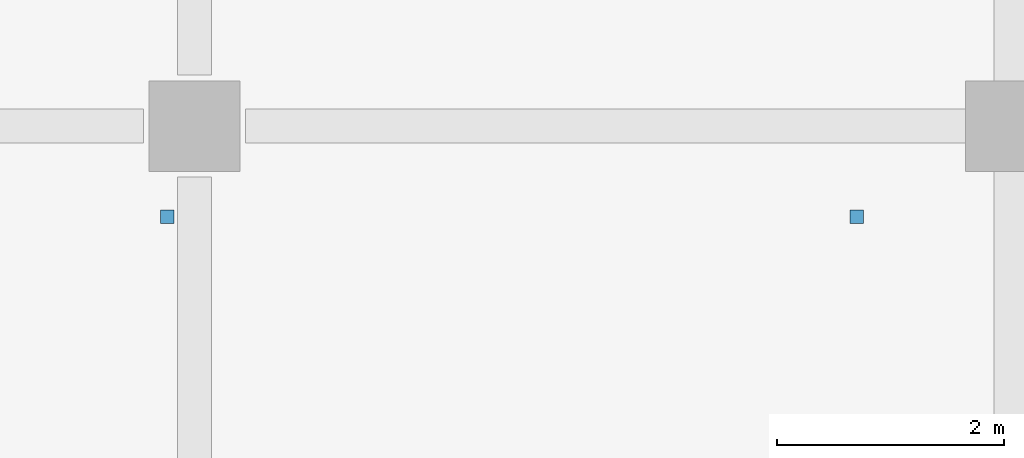
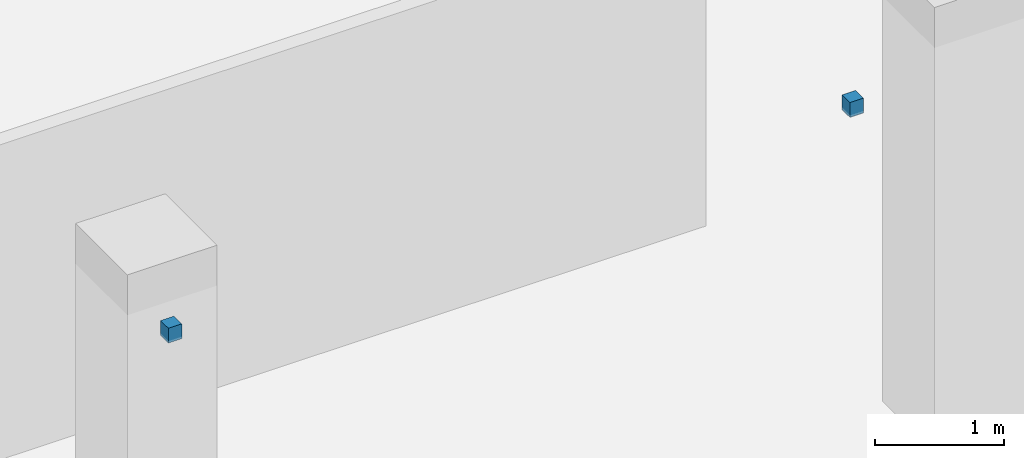
# One storey, part 141 of 153: 2 discrete accessories.
"""IFC4 building model written with IfcOpenShell, lengths in metres."""

from ifc_helpers import new_model, si_unit, direction, frame, origin, origin_2d, place, context, subcontext, project, spatial, rectangle, extrude, material, type_object, element, save


model = new_model("IFC4")

# Units and contexts
model_context = context("Model", 3, precision=1e-05, world=origin(), true_north=direction((0.0, 1.0)))
body_context = subcontext(model_context, "Body", "Model", "MODEL_VIEW")
ifc_project = project(units=[si_unit("LENGTHUNIT", "METRE"), si_unit("AREAUNIT", "SQUARE_METRE"), si_unit("VOLUMEUNIT", "CUBIC_METRE"), si_unit("PLANEANGLEUNIT", "RADIAN"), si_unit("MASSUNIT", "GRAM", prefix="KILO")], contexts=[model_context])

# Site, building, storey
site_placement = place(None, origin())
site = spatial("IfcSite", under=ifc_project, at=site_placement, CompositionType="ELEMENT")
building_placement = place(site_placement, origin())
building = spatial("IfcBuilding", under=site, at=building_placement, Name="Qandorah Velis Arena", CompositionType="ELEMENT")
storey_placement = place(building_placement, frame((0.0, 0.0, 5.39990234375)))
storey = spatial("IfcBuildingStorey", under=building, at=storey_placement, Name="L01", CompositionType="ELEMENT", Elevation=5.39990234375)

# Discrete accessories
ifc_material = material(Name="Stainless steel 316", Category="steel")
discrete_accessory_type = type_object("IfcDiscreteAccessoryType", Name="ARC-ACC-BRK", PredefinedType="BRACKET", material=ifc_material)
for number, where, z_axis, x_axis, name in (
    (1, (6.9599609375, 64.0, 3.80029296875), (0.0, 0.0, 1.0), (1.0, 0.0, 0.0), "Ceiling cloud hanger bracket HGR-02.1"),
    (2, (13.0400390625, 64.0, 3.80029296875), (0.0, 0.0, 1.0), (1.0, 0.0, 0.0), "Ceiling cloud hanger bracket HGR-02.2"),
):
    element("IfcDiscreteAccessory", number, at=place(storey_placement, frame(where, z_axis=z_axis, x_axis=x_axis)), inside=storey, type_object=discrete_accessory_type, Name=name, PredefinedType="BRACKET", context=body_context, shape_type="SweptSolid", body=[
        extrude(rectangle(XDim=0.1201171875, YDim=0.1201171875, at=origin_2d()), origin(), (0.0, 0.0, 1.0), 0.139892578125),
    ])

save(model, "model.ifc")
